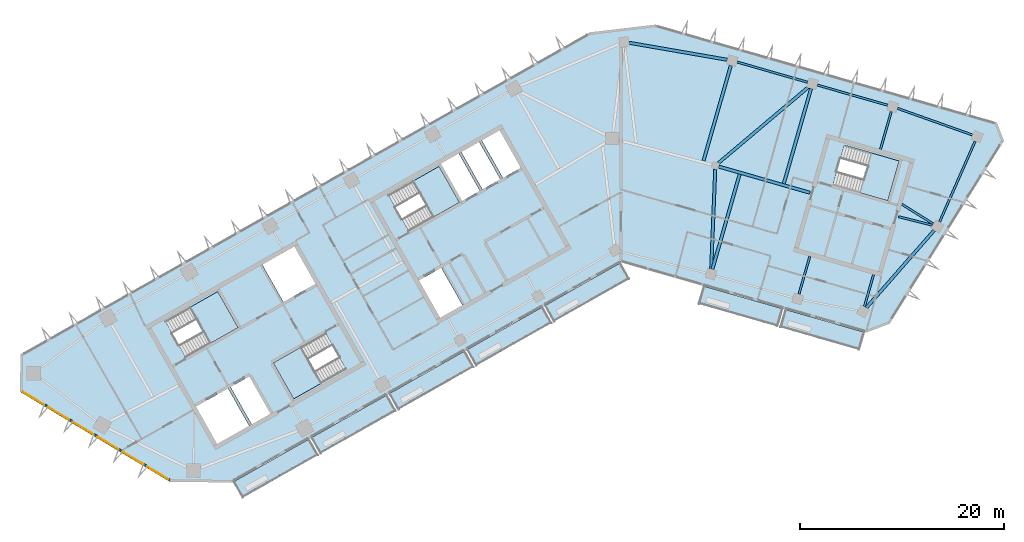
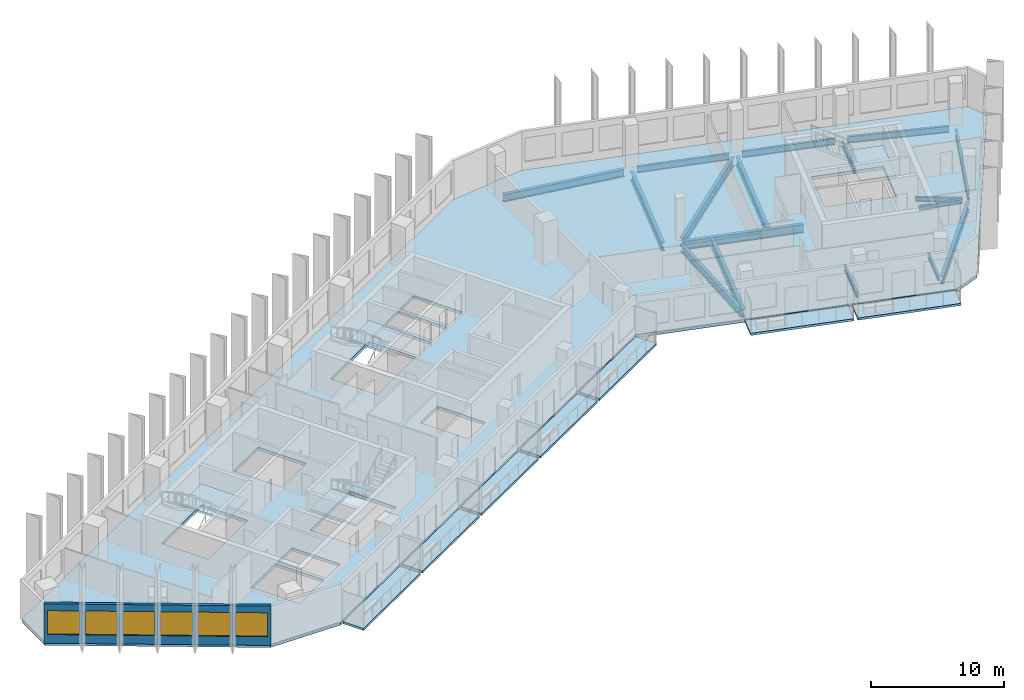
# One storey, part 2 of 11: 17 beams, 12 slabs, 6 windows, 1 wall, 6 openings, 4 elements without a shape of their own.
"""IFC4 building model written with IfcOpenShell, lengths in metres."""

from ifc_helpers import new_model, si_unit, direction, frame, frame_2d, origin, origin_2d, place, context, subcontext, project, spatial, polyline, rectangle, i_section, outline, extrude, material, layer, layer_set, material_profile, profile_set, type_object, element, fill, aggregate, save


model = new_model("IFC4")

# Units and contexts
model_context = context("Model", 3, precision=1e-05, world=origin(), true_north=direction((0.0, 1.0)))
body_context = subcontext(model_context, "Body", "Model", "MODEL_VIEW")
ifc_project = project(units=[si_unit("LENGTHUNIT", "METRE"), si_unit("AREAUNIT", "SQUARE_METRE"), si_unit("VOLUMEUNIT", "CUBIC_METRE"), si_unit("PLANEANGLEUNIT", "RADIAN"), si_unit("MASSUNIT", "GRAM", prefix="KILO")], contexts=[model_context])

# Site, building, storey
site_placement = place(None, origin())
site = spatial("IfcSite", under=ifc_project, at=site_placement, CompositionType="ELEMENT")
building_placement = place(site_placement, origin())
building = spatial("IfcBuilding", under=site, at=building_placement, Name="Binnacle Exchange Tower", CompositionType="ELEMENT")
storey_placement = place(building_placement, frame((0.0, 0.0, 223.10009765625)))
storey = spatial("IfcBuildingStorey", under=building, at=storey_placement, Name="L49", CompositionType="ELEMENT", Elevation=223.10009765625)

# Beams
ifc_material_1 = material(Name="Steel S355 (SHN355)", Category="steel")
ifc_material_profile_1 = material_profile(ifc_material_1, i_section(OverallWidth=0.199951171875, OverallDepth=0.60009765625, WebThickness=0.010986328125, FlangeThickness=0.01708984375, FilletRadius=0.02197265625, at=origin_2d()), Name="H 600x200x11x17")
ifc_profile_set_1 = profile_set([ifc_material_profile_1], Name="Steel S355 (SHN355)")
beam_type_1 = type_object("IfcBeamType", Name="Edge girder H 600x200x11x17 Steel S355 (SHN355)", PredefinedType="SPANDREL", material=ifc_profile_set_1)
beam_1_placement = place(storey_placement, frame((18.265625, 65.513916015625, -0.580078125), z_axis=(-0.961255050864, 0.275660528891, 0.0), x_axis=(-0.275660528891, -0.961255050864, 0.0)))
element("IfcBeam", 1, at=beam_1_placement, inside=storey, type_object=beam_type_1, Name="S:BM:edge:L49:029", PredefinedType="SPANDREL", context=body_context, shape_type="SweptSolid", body=[
    extrude(i_section(OverallWidth=0.199951171875, OverallDepth=0.60009765625, WebThickness=0.010986328125, FlangeThickness=0.01708984375, FilletRadius=0.02197265625, at=origin_2d()), origin(), (0.0, 0.0, 1.0), 7.1728515625),
])
beam_2_placement = place(storey_placement, frame((26.1220703125, 63.26123046875, -0.580078125), z_axis=(-0.96126665508, 0.275620060647, 0.0), x_axis=(-0.275620060647, -0.96126665508, 0.0)))
element("IfcBeam", 2, at=beam_2_placement, inside=storey, type_object=beam_type_1, Name="S:BM:edge:L49:031", PredefinedType="SPANDREL", context=body_context, shape_type="SweptSolid", body=[
    extrude(i_section(OverallWidth=0.199951171875, OverallDepth=0.60009765625, WebThickness=0.010986328125, FlangeThickness=0.01708984375, FilletRadius=0.02197265625, at=origin_2d()), origin(), (0.0, 0.0, 1.0), 7.173095703125),
])
ifc_material_profile_2 = material_profile(ifc_material_1, i_section(OverallWidth=0.200927734375, OverallDepth=0.60595703125, WebThickness=0.011962890625, FlangeThickness=0.02001953125, FilletRadius=0.02197265625, at=origin_2d()), Name="H 606x201x12x20")
ifc_profile_set_2 = profile_set([ifc_material_profile_2], Name="Steel S355 (SHN355)")
beam_type_2 = type_object("IfcBeamType", Name="Edge girder H 606x201x12x20 Steel S355 (SHN355)", PredefinedType="SPANDREL", material=ifc_profile_set_2)
beam_3_placement = place(storey_placement, frame((34.3984375, 60.3544921875, -0.5830078125), z_axis=(-0.942323270608, 0.334704128553, 0.0), x_axis=(-0.334704128553, -0.942323270608, 0.0)))
element("IfcBeam", 3, at=beam_3_placement, inside=storey, type_object=beam_type_2, Name="S:BM:edge:L49:033", PredefinedType="SPANDREL", context=body_context, shape_type="SweptSolid", body=[
    extrude(i_section(OverallWidth=0.200927734375, OverallDepth=0.60595703125, WebThickness=0.011962890625, FlangeThickness=0.02001953125, FilletRadius=0.02197265625, at=origin_2d()), origin(), (0.0, 0.0, 1.0), 7.77197265625),
])
ifc_material_profile_3 = material_profile(ifc_material_1, i_section(OverallWidth=0.201904296875, OverallDepth=0.612060546875, WebThickness=0.012939453125, FlangeThickness=0.02294921875, FilletRadius=0.02197265625, at=origin_2d()), Name="H 612x202x13x23")
ifc_profile_set_3 = profile_set([ifc_material_profile_3], Name="Steel S355 (SHN355)")
beam_type_3 = type_object("IfcBeamType", Name="Edge girder H 612x202x13x23 Steel S355 (SHN355)", PredefinedType="SPANDREL", material=ifc_profile_set_3)
beam_4_placement = place(storey_placement, frame((31.193359375, 51.848388671875, -0.586181640625), z_axis=(0.403459457176, 0.914997522628, 0.0), x_axis=(-0.914997522628, 0.403459457176, 0.0)))
element("IfcBeam", 4, at=beam_4_placement, inside=storey, type_object=beam_type_3, Name="S:BM:edge:L49:032", PredefinedType="SPANDREL", context=body_context, shape_type="SweptSolid", body=[
    extrude(i_section(OverallWidth=0.201904296875, OverallDepth=0.612060546875, WebThickness=0.012939453125, FlangeThickness=0.02294921875, FilletRadius=0.02197265625, at=origin_2d()), origin(), (0.0, 0.0, 1.0), 8.61328125),
])
ifc_material_profile_4 = material_profile(ifc_material_1, i_section(OverallWidth=0.300048828125, OverallDepth=0.699951171875, WebThickness=0.012939453125, FlangeThickness=0.02392578125, FilletRadius=0.028076171875, at=origin_2d()), Name="H 700x300x13x24")
ifc_profile_set_4 = profile_set([ifc_material_profile_4], Name="Steel S355 (SHN355)")
beam_type_4 = type_object("IfcBeamType", Name="Edge girder H 700x300x13x24 Steel S355 (SHN355)", PredefinedType="SPANDREL", material=ifc_profile_set_4)
beam_5_placement = place(storey_placement, frame((10.39453125, 67.71484375, -0.630126953125), z_axis=(-0.985315512383, 0.170743494921, 0.0), x_axis=(-0.170743494921, -0.985315512383, 0.0)))
element("IfcBeam", 5, at=beam_5_placement, inside=storey, type_object=beam_type_4, Name="S:BM:edge:L49:027", PredefinedType="SPANDREL", context=body_context, shape_type="SweptSolid", body=[
    extrude(i_section(OverallWidth=0.300048828125, OverallDepth=0.699951171875, WebThickness=0.012939453125, FlangeThickness=0.02392578125, FilletRadius=0.028076171875, at=origin_2d()), origin(), (0.0, 0.0, 1.0), 9.72314453125),
])
beam_6_placement = place(storey_placement, frame((24.026123046875, 43.44580078125, -0.630126953125), z_axis=(0.659336218273, 0.751848223562, 0.0), x_axis=(-0.751848223562, 0.659336218273, 0.0)))
element("IfcBeam", 6, at=beam_6_placement, inside=storey, type_object=beam_type_4, Name="S:BM:edge:L49:030", PredefinedType="SPANDREL", context=body_context, shape_type="SweptSolid", body=[
    extrude(i_section(OverallWidth=0.300048828125, OverallDepth=0.699951171875, WebThickness=0.012939453125, FlangeThickness=0.02392578125, FilletRadius=0.028076171875, at=origin_2d()), origin(), (0.0, 0.0, 1.0), 10.0546875),
])
ifc_material_profile_5 = material_profile(ifc_material_1, i_section(OverallWidth=0.199951171875, OverallDepth=0.39990234375, WebThickness=0.008056640625, FlangeThickness=0.012939453125, FilletRadius=0.01611328125, at=origin_2d()), Name="H 400x200x8x13")
ifc_profile_set_5 = profile_set([ifc_material_profile_5], Name="Steel S355 (SHN355)")
beam_type_5 = type_object("IfcBeamType", Name="Floor beam H 400x200x8x13 Steel S355 (SHN355)", PredefinedType="BEAM", material=ifc_profile_set_5)
beam_7_placement = place(storey_placement, frame((23.832275390625, 43.55810546875, -0.47998046875), z_axis=(0.275607869103, 0.961270150628, 0.0), x_axis=(-0.961270150628, 0.275607869103, 0.0)))
element("IfcBeam", 7, at=beam_7_placement, inside=storey, type_object=beam_type_5, Name="S:BM:cross:L49:051", PredefinedType="BEAM", context=body_context, shape_type="SweptSolid", body=[
    extrude(i_section(OverallWidth=0.199951171875, OverallDepth=0.39990234375, WebThickness=0.008056640625, FlangeThickness=0.012939453125, FilletRadius=0.01611328125, at=origin_2d()), origin(), (0.0, 0.0, 1.0), 3.23583984375),
])
beam_8_placement = place(storey_placement, frame((30.5654296875, 51.6513671875, -0.47998046875), z_axis=(-0.848078408173, 0.529870751779, 0.0), x_axis=(-0.529870751779, -0.848078408173, 0.0)))
element("IfcBeam", 8, at=beam_8_placement, inside=storey, type_object=beam_type_5, Name="S:BM:cross:L49:053", PredefinedType="BEAM", context=body_context, shape_type="SweptSolid", body=[
    extrude(i_section(OverallWidth=0.199951171875, OverallDepth=0.39990234375, WebThickness=0.008056640625, FlangeThickness=0.012939453125, FilletRadius=0.01611328125, at=origin_2d()), origin(), (0.0, 0.0, 1.0), 3.59521484375),
])
ifc_material_profile_6 = material_profile(ifc_material_1, i_section(OverallWidth=0.199951171875, OverallDepth=0.449951171875, WebThickness=0.009033203125, FlangeThickness=0.013916015625, FilletRadius=0.01806640625, at=origin_2d()), Name="H 450x200x9x14")
ifc_profile_set_6 = profile_set([ifc_material_profile_6], Name="Steel S355 (SHN355)")
beam_type_6 = type_object("IfcBeamType", Name="Floor beam H 450x200x9x14 Steel S355 (SHN355)", PredefinedType="BEAM", material=ifc_profile_set_6)
for number, where, z_axis, x_axis, name in (
    (9, (17.426025390625, 44.771728515625, -0.505126953125), (0.27564586602, 0.961259255636, 0.0), (-0.961259255636, 0.27564586602, 0.0), "S:BM:cross:L49:049"),
    (10, (26.46484375, 62.642822265625, -0.505126953125), (-0.27564586602, -0.961259255636, 0.0), (0.961259255636, -0.27564586602, 0.0), "S:BM:cross:L49:052"),
):
    element("IfcBeam", number, at=place(storey_placement, frame(where, z_axis=z_axis, x_axis=x_axis)), inside=storey, type_object=beam_type_6, Name=name, PredefinedType="BEAM", context=body_context, shape_type="SweptSolid", body=[
        extrude(i_section(OverallWidth=0.199951171875, OverallDepth=0.449951171875, WebThickness=0.009033203125, FlangeThickness=0.013916015625, FilletRadius=0.01806640625, at=origin_2d()), origin(), (0.0, 0.0, 1.0), 3.835205078125),
    ])
ifc_material_profile_7 = material_profile(ifc_material_1, i_section(OverallWidth=0.300048828125, OverallDepth=0.800048828125, WebThickness=0.013916015625, FlangeThickness=0.02587890625, FilletRadius=0.028076171875, at=origin_2d()), Name="H 800x300x14x26")
ifc_profile_set_7 = profile_set([ifc_material_profile_7], Name="Steel S355 (SHN355)")
beam_type_7 = type_object("IfcBeamType", Name="Floor beam H 800x300x14x26 Steel S355 (SHN355)", PredefinedType="BEAM", material=ifc_profile_set_7)
beam_9_placement = place(storey_placement, frame((8.947265625, 47.202880859375, -0.68017578125), z_axis=(0.275643212873, 0.961260016435, 0.0), x_axis=(-0.961260016435, 0.275643212873, 0.0)))
element("IfcBeam", 11, at=beam_9_placement, inside=storey, type_object=beam_type_7, Name="S:BM:cross:L49:047", PredefinedType="BEAM", context=body_context, shape_type="SweptSolid", body=[
    extrude(i_section(OverallWidth=0.300048828125, OverallDepth=0.800048828125, WebThickness=0.013916015625, FlangeThickness=0.02587890625, FilletRadius=0.028076171875, at=origin_2d()), origin(), (0.0, 0.0, 1.0), 9.685302734375),
])
beam_10_placement = place(storey_placement, frame((10.752197265625, 67.1484375, -0.68017578125), z_axis=(-0.275623948616, -0.96126554029, 0.0), x_axis=(0.96126554029, -0.275623948616, 0.0)))
element("IfcBeam", 12, at=beam_10_placement, inside=storey, type_object=beam_type_7, Name="S:BM:cross:L49:048", PredefinedType="BEAM", context=body_context, shape_type="SweptSolid", body=[
    extrude(i_section(OverallWidth=0.300048828125, OverallDepth=0.800048828125, WebThickness=0.013916015625, FlangeThickness=0.02587890625, FilletRadius=0.028076171875, at=origin_2d()), origin(), (0.0, 0.0, 1.0), 9.71337890625),
])
beam_11_placement = place(storey_placement, frame((18.6083984375, 64.8955078125, -0.68017578125), z_axis=(-0.275626599208, -0.961264780281, 0.0), x_axis=(0.961264780281, -0.275626599208, 0.0)))
element("IfcBeam", 13, at=beam_11_placement, inside=storey, type_object=beam_type_7, Name="S:BM:cross:L49:050", PredefinedType="BEAM", context=body_context, shape_type="SweptSolid", body=[
    extrude(i_section(OverallWidth=0.300048828125, OverallDepth=0.800048828125, WebThickness=0.013916015625, FlangeThickness=0.02587890625, FilletRadius=0.028076171875, at=origin_2d()), origin(), (0.0, 0.0, 1.0), 9.68505859375),
])
ifc_material_profile_8 = material_profile(ifc_material_1, i_section(OverallWidth=0.199951171875, OverallDepth=0.39990234375, WebThickness=0.008056640625, FlangeThickness=0.012939453125, FilletRadius=0.01611328125, at=origin_2d()), Name="H 400x200x8x13")
ifc_profile_set_8 = profile_set([ifc_material_profile_8], Name="Steel S355 (SHN355)")
beam_type_8 = type_object("IfcBeamType", Name="Spine girder H 400x200x8x13 Steel S355 (SHN355)", PredefinedType="BEAM", material=ifc_profile_set_8)
beam_12_placement = place(storey_placement, frame((27.17138671875, 52.35400390625, -0.47998046875), z_axis=(0.969354959992, -0.245664326957, 0.0), x_axis=(0.245664326957, 0.969354959992, 0.0)))
element("IfcBeam", 14, at=beam_12_placement, inside=storey, type_object=beam_type_8, Name="S:BM:spine:L49:010", PredefinedType="BEAM", context=body_context, shape_type="SweptSolid", body=[
    extrude(i_section(OverallWidth=0.199951171875, OverallDepth=0.39990234375, WebThickness=0.008056640625, FlangeThickness=0.012939453125, FilletRadius=0.01611328125, at=origin_2d()), origin(), (0.0, 0.0, 1.0), 3.41357421875),
])
ifc_material_profile_9 = material_profile(ifc_material_1, i_section(OverallWidth=0.300048828125, OverallDepth=0.699951171875, WebThickness=0.012939453125, FlangeThickness=0.02392578125, FilletRadius=0.028076171875, at=origin_2d()), Name="H 700x300x13x24")
ifc_profile_set_9 = profile_set([ifc_material_profile_9], Name="Steel S355 (SHN355)")
beam_type_9 = type_object("IfcBeamType", Name="Spine girder H 700x300x13x24 Steel S355 (SHN355)", PredefinedType="BEAM", material=ifc_profile_set_9)
beam_13_placement = place(storey_placement, frame((9.226318359375, 56.990234375, -0.630126953125), z_axis=(-0.040566314933, -0.999176848257, 0.0), x_axis=(0.999176848257, -0.040566314933, 0.0)))
element("IfcBeam", 15, at=beam_13_placement, inside=storey, type_object=beam_type_9, Name="S:BM:spine:L49:007", PredefinedType="BEAM", context=body_context, shape_type="SweptSolid", body=[
    extrude(i_section(OverallWidth=0.300048828125, OverallDepth=0.699951171875, WebThickness=0.012939453125, FlangeThickness=0.02392578125, FilletRadius=0.028076171875, at=origin_2d()), origin(), (0.0, 0.0, 1.0), 9.76171875),
])
ifc_material_profile_10 = material_profile(ifc_material_1, i_section(OverallWidth=0.300048828125, OverallDepth=0.800048828125, WebThickness=0.013916015625, FlangeThickness=0.02587890625, FilletRadius=0.028076171875, at=origin_2d()), Name="H 800x300x14x26")
ifc_profile_set_10 = profile_set([ifc_material_profile_10], Name="Steel S355 (SHN355)")
beam_type_10 = type_object("IfcBeamType", Name="Spine girder H 800x300x14x26 Steel S355 (SHN355)", PredefinedType="BEAM", material=ifc_profile_set_10)
beam_14_placement = place(storey_placement, frame((9.577392578125, 57.253662109375, -0.68017578125), z_axis=(0.961262936931, -0.275633027924, 0.0), x_axis=(0.275633027924, 0.961262936931, 0.0)))
element("IfcBeam", 16, at=beam_14_placement, inside=storey, type_object=beam_type_10, Name="S:BM:spine:L49:009", PredefinedType="BEAM", context=body_context, shape_type="SweptSolid", body=[
    extrude(i_section(OverallWidth=0.300048828125, OverallDepth=0.800048828125, WebThickness=0.013916015625, FlangeThickness=0.02587890625, FilletRadius=0.028076171875, at=origin_2d()), origin(), (0.0, 0.0, 1.0), 9.26318359375),
])
ifc_material_profile_11 = material_profile(ifc_material_1, i_section(OverallWidth=0.302001953125, OverallDepth=0.80810546875, WebThickness=0.01611328125, FlangeThickness=0.030029296875, FilletRadius=0.028076171875, at=origin_2d()), Name="H 808x302x16x30")
ifc_profile_set_11 = profile_set([ifc_material_profile_11], Name="Steel S355 (SHN355)")
beam_type_11 = type_object("IfcBeamType", Name="Spine girder H 808x302x16x30 Steel S355 (SHN355)", PredefinedType="BEAM", material=ifc_profile_set_11)
beam_15_placement = place(storey_placement, frame((9.562744140625, 57.6220703125, -0.68408203125), z_axis=(0.764068797706, 0.645134770704, 0.0), x_axis=(-0.645134770704, 0.764068797706, 0.0)))
element("IfcBeam", 17, at=beam_15_placement, inside=storey, type_object=beam_type_11, Name="S:BM:spine:L49:008", PredefinedType="BEAM", context=body_context, shape_type="SweptSolid", body=[
    extrude(i_section(OverallWidth=0.302001953125, OverallDepth=0.80810546875, WebThickness=0.01611328125, FlangeThickness=0.030029296875, FilletRadius=0.028076171875, at=origin_2d()), origin(), (0.0, 0.0, 1.0), 11.417236328125),
])

# Slabs
ifc_material_2 = material(Name="Concrete C35/45", Category="concrete")
ifc_layer_1 = layer(ifc_material_2, 0.199951171875)
ifc_layer_set_1 = layer_set([ifc_layer_1], Name="BALCONY SLAB 200")
slab_type_1 = type_object("IfcSlabType", Name="BALCONY SLAB 200", PredefinedType="FLOOR", material=ifc_layer_set_1)
slab_1_placement = place(storey_placement, frame((0.0, 0.0, -0.2001953125)))
element("IfcSlab", 18, at=slab_1_placement, inside=storey, type_object=slab_type_1, Name="Balcony BA-G01-00 L49", PredefinedType="FLOOR", context=body_context, shape_type="SweptSolid", body=[
    extrude(outline(polyline([(-37.90576171875, 26.410400390625), (-30.54736328125, 30.573486328125), (-29.660888671875, 29.0068359375), (-37.019287109375, 24.84375), (-37.90576171875, 26.410400390625)])), origin(), (0.0, 0.0, 1.0), 0.2001953125),
])
slab_2_placement = place(storey_placement, frame((0.0, 0.0, -0.2001953125)))
element("IfcSlab", 19, at=slab_2_placement, inside=storey, type_object=slab_type_1, Name="Balcony BA-G01-01 L49", PredefinedType="FLOOR", context=body_context, shape_type="SweptSolid", body=[
    extrude(outline(polyline([(-30.2861328125, 30.72119140625), (-22.927734375, 34.884521484375), (-22.041259765625, 33.31787109375), (-29.39990234375, 29.15478515625), (-30.2861328125, 30.72119140625)])), origin(), (0.0, 0.0, 1.0), 0.2001953125),
])
slab_3_placement = place(storey_placement, frame((0.0, 0.0, -0.2001953125)))
element("IfcSlab", 20, at=slab_3_placement, inside=storey, type_object=slab_type_1, Name="Balcony BA-G01-02 L49", PredefinedType="FLOOR", context=body_context, shape_type="SweptSolid", body=[
    extrude(outline(polyline([(-22.66650390625, 35.0322265625), (-15.30810546875, 39.195556640625), (-14.421875, 37.62890625), (-21.7802734375, 33.465576171875), (-22.66650390625, 35.0322265625)])), origin(), (0.0, 0.0, 1.0), 0.2001953125),
])
slab_4_placement = place(storey_placement, frame((0.0, 0.0, -0.2001953125)))
element("IfcSlab", 21, at=slab_4_placement, inside=storey, type_object=slab_type_1, Name="Balcony BA-G01-03 L49", PredefinedType="FLOOR", context=body_context, shape_type="SweptSolid", body=[
    extrude(outline(polyline([(-15.047119140625, 39.34326171875), (-7.6884765625, 43.50634765625), (-6.802001953125, 41.939697265625), (-14.16064453125, 37.776611328125), (-15.047119140625, 39.34326171875)])), origin(), (0.0, 0.0, 1.0), 0.2001953125),
])
slab_5_placement = place(storey_placement, frame((0.0, 0.0, -0.2001953125)))
element("IfcSlab", 22, at=slab_5_placement, inside=storey, type_object=slab_type_1, Name="Balcony BA-G01-04 L49", PredefinedType="FLOOR", context=body_context, shape_type="SweptSolid", body=[
    extrude(outline(polyline([(-7.427490234375, 43.654296875), (-0.069091796875, 47.8173828125), (0.8173828125, 46.250732421875), (-6.541015625, 42.08740234375), (-7.427490234375, 43.654296875)])), origin(), (0.0, 0.0, 1.0), 0.2001953125),
])
slab_6_placement = place(storey_placement, frame((0.0, 0.0, -0.2001953125)))
element("IfcSlab", 23, at=slab_6_placement, inside=storey, type_object=slab_type_1, Name="Balcony BA-G02-01 L49", PredefinedType="FLOOR", context=body_context, shape_type="SweptSolid", body=[
    extrude(outline(polyline([(8.10791015625, 45.545166015625), (15.8173828125, 43.33447265625), (15.3212890625, 41.60400390625), (7.61181640625, 43.814697265625), (8.10791015625, 45.545166015625)])), origin(), (0.0, 0.0, 1.0), 0.2001953125),
])
slab_7_placement = place(storey_placement, frame((0.0, 0.0, -0.2001953125)))
element("IfcSlab", 24, at=slab_7_placement, inside=storey, type_object=slab_type_1, Name="Balcony BA-G02-02 L49", PredefinedType="FLOOR", context=body_context, shape_type="SweptSolid", body=[
    extrude(outline(polyline([(16.10595703125, 43.251708984375), (23.815673828125, 41.041015625), (23.319580078125, 39.310791015625), (15.60986328125, 41.521484375), (16.10595703125, 43.251708984375)])), origin(), (0.0, 0.0, 1.0), 0.2001953125),
])
ifc_layer_2 = layer(ifc_material_2, 0.280029296875)
ifc_layer_set_2 = layer_set([ifc_layer_2], Name="Floor slab 280 Concrete C35/45")
slab_type_2 = type_object("IfcSlabType", Name="Floor slab 280 Concrete C35/45", PredefinedType="FLOOR", material=ifc_layer_set_2)
slab_8_placement = place(storey_placement, frame((0.0, 0.0, -0.280029296875)))
element("IfcSlab", 25, at=slab_8_placement, inside=storey, type_object=slab_type_2, Name="S:SL:L49:01", PredefinedType="FLOOR", context=body_context, shape_type="SweptSolid", body=[
    extrude(outline(polyline([(-58.716064453125, 35.280029296875), (-58.669921875, 38.80615234375), (-3.046142578125, 70.276611328125), (3.364501953125, 71.035400390625), (36.71240234375, 61.472900390625), (37.359375, 59.787353515625), (26.23095703125, 41.978515625), (23.994140625, 41.119873046875), (0.0, 48.0), (-38.097900390625, 26.4453125), (-44.14404296875, 26.5244140625), (-58.716064453125, 35.280029296875)]), holes=[polyline([(-38.4794921875, 35.529296875), (-41.61279296875, 33.756591796875), (-39.544677734375, 30.10107421875), (-36.411376953125, 31.873779296875), (-38.4794921875, 35.529296875)]), polyline([(-36.390625, 36.711181640625), (-38.21826171875, 35.677001953125), (-36.150146484375, 32.021484375), (-34.322509765625, 33.0556640625), (-36.390625, 36.711181640625)]), polyline([(-32.04638671875, 34.515625), (-26.9287109375, 37.4111328125), (-28.923095703125, 40.93603515625), (-34.040771484375, 38.04052734375), (-32.04638671875, 34.515625)]), polyline([(-37.486572265625, 41.4912109375), (-39.480712890625, 45.01611328125), (-44.598388671875, 42.12060546875), (-42.604248046875, 38.595703125), (-37.486572265625, 41.4912109375)]), polyline([(-29.914306640625, 45.775390625), (-31.982666015625, 49.430908203125), (-35.115966796875, 47.657958984375), (-33.047607421875, 44.00244140625), (-29.914306640625, 45.775390625)]), polyline([(-17.81689453125, 57.27294921875), (-22.760498046875, 54.47607421875), (-20.76611328125, 50.950927734375), (-15.822509765625, 53.748046875), (-17.81689453125, 57.27294921875)]), polyline([(-15.53076171875, 43.6875), (-17.598876953125, 47.343017578125), (-19.77490234375, 46.11181640625), (-17.70654296875, 42.456298828125), (-15.53076171875, 43.6875)]), polyline([(-13.82080078125, 54.880615234375), (-15.888916015625, 58.5361328125), (-17.629638671875, 57.55126953125), (-15.5615234375, 53.895751953125), (-13.82080078125, 54.880615234375)]), polyline([(27.227783203125, 57.810302734375), (21.864013671875, 59.348388671875), (20.74755859375, 55.455078125), (26.111328125, 53.9169921875), (27.227783203125, 57.810302734375)]), polyline([(-11.819091796875, 56.01318359375), (-13.88720703125, 59.668701171875), (-15.6279296875, 58.683837890625), (-13.559814453125, 55.0283203125), (-11.819091796875, 56.01318359375)]), polyline([(-9.817138671875, 57.145751953125), (-11.885498046875, 60.80126953125), (-13.626220703125, 59.81640625), (-11.557861328125, 56.160888671875), (-9.817138671875, 57.145751953125)])]), origin(), (0.0, 0.0, 1.0), 0.280029296875),
])

# Stair, slab
stair_type = type_object("IfcStairType", Name="STAIR 22 RISERS 177", PredefinedType="HALF_TURN_STAIR", material=ifc_material_2)
stair_1_placement = place(storey_placement, origin())
stair_1 = element("IfcStair", 26, at=stair_1_placement, inside=storey, type_object=stair_type, Name="L49 Escape stair A1", PredefinedType="HALF_TURN_STAIR")
ifc_layer_3 = layer(ifc_material_2, 0.199951171875)
ifc_layer_set_3 = layer_set([ifc_layer_3], Name="STAIR LANDING 200")
slab_type_3 = type_object("IfcSlabType", Name="STAIR LANDING 200", PredefinedType="LANDING", material=ifc_layer_set_3)
slab_9_placement = place(storey_placement, frame((0.0, 0.0, 1.75)))
slab_9 = element("IfcSlab", 27, at=slab_9_placement, type_object=slab_type_3, Name="STA1 landing 1", PredefinedType="LANDING", context=body_context, shape_type="SweptSolid", body=[
    extrude(outline(polyline([(-40.2021484375, 39.954833984375), (-37.486572265625, 41.4912109375), (-39.48095703125, 45.01611328125), (-42.1962890625, 43.479736328125), (-40.2021484375, 39.954833984375)])), origin(), (0.0, 0.0, 1.0), 0.199951171875),
])
aggregate(stair_1, [slab_9])

stair_2_placement = place(storey_placement, origin())
stair_2 = element("IfcStair", 28, at=stair_2_placement, inside=storey, type_object=stair_type, Name="L49 Escape stair A2", PredefinedType="HALF_TURN_STAIR")
slab_10_placement = place(storey_placement, frame((0.0, 0.0, 1.75)))
slab_10 = element("IfcSlab", 29, at=slab_10_placement, type_object=slab_type_3, Name="STA2 landing 1", PredefinedType="LANDING", context=body_context, shape_type="SweptSolid", body=[
    extrude(outline(polyline([(-31.3251953125, 39.576904296875), (-34.040771484375, 38.04052734375), (-32.04638671875, 34.515625), (-29.330810546875, 36.052001953125), (-31.3251953125, 39.576904296875)])), origin(), (0.0, 0.0, 1.0), 0.199951171875),
])
aggregate(stair_2, [slab_10])

stair_3_placement = place(storey_placement, origin())
stair_3 = element("IfcStair", 30, at=stair_3_placement, inside=storey, type_object=stair_type, Name="L49 Escape stair C1", PredefinedType="HALF_TURN_STAIR")
slab_11_placement = place(storey_placement, frame((0.0, 0.0, 1.75)))
slab_11 = element("IfcSlab", 31, at=slab_11_placement, type_object=slab_type_3, Name="STC1 landing 1", PredefinedType="LANDING", context=body_context, shape_type="SweptSolid", body=[
    extrude(outline(polyline([(-18.364013671875, 52.31005859375), (-15.822509765625, 53.748046875), (-17.81689453125, 57.27294921875), (-20.3583984375, 55.8349609375), (-18.364013671875, 52.31005859375)])), origin(), (0.0, 0.0, 1.0), 0.199951171875),
])
aggregate(stair_3, [slab_11])

stair_4_placement = place(storey_placement, origin())
stair_4 = element("IfcStair", 32, at=stair_4_placement, inside=storey, type_object=stair_type, Name="L49 Escape stair D1", PredefinedType="HALF_TURN_STAIR")
slab_12_placement = place(storey_placement, frame((0.0, 0.0, 1.75)))
slab_12 = element("IfcSlab", 33, at=slab_12_placement, type_object=slab_type_3, Name="STD1 landing 1", PredefinedType="LANDING", context=body_context, shape_type="SweptSolid", body=[
    extrude(outline(polyline([(23.400634765625, 54.6943359375), (26.111328125, 53.917236328125), (27.227783203125, 57.810302734375), (24.516845703125, 58.587646484375), (23.400634765625, 54.6943359375)])), origin(), (0.0, 0.0, 1.0), 0.199951171875),
])
aggregate(stair_4, [slab_12])

# Wall, openings, windows
ifc_material_3 = material(Name="Bronze aluminium cladding", Category="aluminium")
ifc_layer_4 = layer(ifc_material_3, 0.25)
ifc_layer_set_4 = layer_set([ifc_layer_4], Name="External wall - window wall 250")
wall_type = type_object("IfcWallType", Name="External wall - window wall 250", PredefinedType="STANDARD", material=ifc_layer_set_4)
wall_placement = place(storey_placement, frame((-44.115234375, 26.507080078125, 0.0), z_axis=(0.0, 0.0, 1.0), x_axis=(-0.857166583633, 0.515039268311, 0.0)))
wall = element("IfcWall", 34, at=wall_placement, inside=storey, type_object=wall_type, Name="External wall EW-G10 L49", PredefinedType="STANDARD", context=body_context, shape_type="SweptSolid", body=[
    extrude(rectangle(XDim=17.105712890625, YDim=0.25, at=frame_2d((8.552734375, 0.0))), origin(), (0.0, 0.0, 1.0), 3.619873046875),
])
opening_1_placement = place(wall_placement, frame((14.4169921875, 0.0, 0.800048828125)))
opening_1 = element("IfcOpeningElement", 35, at=opening_1_placement, cuts=wall, Name="Opening WR1", PredefinedType="OPENING", context=body_context, shape_type="SweptSolid", body=[
    extrude(rectangle(XDim=2.39990234375, YDim=2.199951171875, at=frame_2d((1.199951171875, 1.10009765625))), frame((0.0, 0.135009765625, 0.0), z_axis=(0.0, -1.0, 0.0), x_axis=(1.0, 0.0, 0.0)), (0.0, 0.0, 1.0), 0.27001953125),
])
opening_2_placement = place(wall_placement, frame((11.583740234375, 0.0, 0.800048828125)))
opening_2 = element("IfcOpeningElement", 36, at=opening_2_placement, cuts=wall, Name="Opening WR1", PredefinedType="OPENING", context=body_context, shape_type="SweptSolid", body=[
    extrude(rectangle(XDim=2.39990234375, YDim=2.199951171875, at=frame_2d((1.199951171875, 1.10009765625))), frame((0.0, 0.135009765625, 0.0), z_axis=(0.0, -1.0, 0.0), x_axis=(1.0, 0.0, 0.0)), (0.0, 0.0, 1.0), 0.27001953125),
])
opening_3_placement = place(wall_placement, frame((8.75048828125, 0.0, 0.800048828125)))
opening_3 = element("IfcOpeningElement", 37, at=opening_3_placement, cuts=wall, Name="Opening WR1", PredefinedType="OPENING", context=body_context, shape_type="SweptSolid", body=[
    extrude(rectangle(XDim=2.39990234375, YDim=2.199951171875, at=frame_2d((1.199951171875, 1.10009765625))), frame((0.0, 0.135009765625, 0.0), z_axis=(0.0, -1.0, 0.0), x_axis=(1.0, 0.0, 0.0)), (0.0, 0.0, 1.0), 0.27001953125),
])
opening_4_placement = place(wall_placement, frame((5.9169921875, 0.0, 0.800048828125)))
opening_4 = element("IfcOpeningElement", 38, at=opening_4_placement, cuts=wall, Name="Opening WR1", PredefinedType="OPENING", context=body_context, shape_type="SweptSolid", body=[
    extrude(rectangle(XDim=2.39990234375, YDim=2.199951171875, at=frame_2d((1.199951171875, 1.10009765625))), frame((0.0, 0.135009765625, 0.0), z_axis=(0.0, -1.0, 0.0), x_axis=(1.0, 0.0, 0.0)), (0.0, 0.0, 1.0), 0.27001953125),
])
opening_5_placement = place(wall_placement, frame((3.083740234375, 0.0, 0.800048828125)))
opening_5 = element("IfcOpeningElement", 39, at=opening_5_placement, cuts=wall, Name="Opening WR1", PredefinedType="OPENING", context=body_context, shape_type="SweptSolid", body=[
    extrude(rectangle(XDim=2.39990234375, YDim=2.199951171875, at=frame_2d((1.199951171875, 1.10009765625))), frame((0.0, 0.135009765625, 0.0), z_axis=(0.0, -1.0, 0.0), x_axis=(1.0, 0.0, 0.0)), (0.0, 0.0, 1.0), 0.27001953125),
])
opening_6_placement = place(wall_placement, frame((0.25048828125, 0.0, 0.800048828125)))
opening_6 = element("IfcOpeningElement", 40, at=opening_6_placement, cuts=wall, Name="Opening WR1", PredefinedType="OPENING", context=body_context, shape_type="SweptSolid", body=[
    extrude(rectangle(XDim=2.39990234375, YDim=2.199951171875, at=frame_2d((1.199951171875, 1.10009765625))), frame((0.0, 0.135009765625, 0.0), z_axis=(0.0, -1.0, 0.0), x_axis=(1.0, 0.0, 0.0)), (0.0, 0.0, 1.0), 0.27001953125),
])
ifc_material_4 = material(Name="Bronze anodised aluminium frame", Category="aluminium")
window_type = type_object("IfcWindowType", Name="WR1 WINDOW 2400x2200", PartitioningType="SINGLE_PANEL", PredefinedType="WINDOW", material=ifc_material_4)
window_1_placement = place(opening_1_placement, origin())
window_1 = element("IfcWindow", 41, at=window_1_placement, inside=storey, type_object=window_type, Name="Window WR1 L49", OverallHeight=2.199951171875, OverallWidth=2.39990234375, PartitioningType="SINGLE_PANEL", PredefinedType="WINDOW", context=body_context, shape_type="SweptSolid", body=[
    extrude(rectangle(XDim=2.39990234375, YDim=2.199951171875, at=frame_2d((1.199951171875, 1.10009765625))), frame((0.0, 0.030029296875, 0.0), z_axis=(0.0, -1.0, 0.0), x_axis=(1.0, 0.0, 0.0)), (0.0, 0.0, 1.0), 0.06005859375),
])
fill(opening_1, window_1)
window_2_placement = place(opening_2_placement, origin())
window_2 = element("IfcWindow", 42, at=window_2_placement, inside=storey, type_object=window_type, Name="Window WR1 L49", OverallHeight=2.199951171875, OverallWidth=2.39990234375, PartitioningType="SINGLE_PANEL", PredefinedType="WINDOW", context=body_context, shape_type="SweptSolid", body=[
    extrude(rectangle(XDim=2.39990234375, YDim=2.199951171875, at=frame_2d((1.199951171875, 1.10009765625))), frame((0.0, 0.030029296875, 0.0), z_axis=(0.0, -1.0, 0.0), x_axis=(1.0, 0.0, 0.0)), (0.0, 0.0, 1.0), 0.06005859375),
])
fill(opening_2, window_2)
window_3_placement = place(opening_3_placement, origin())
window_3 = element("IfcWindow", 43, at=window_3_placement, inside=storey, type_object=window_type, Name="Window WR1 L49", OverallHeight=2.199951171875, OverallWidth=2.39990234375, PartitioningType="SINGLE_PANEL", PredefinedType="WINDOW", context=body_context, shape_type="SweptSolid", body=[
    extrude(rectangle(XDim=2.39990234375, YDim=2.199951171875, at=frame_2d((1.199951171875, 1.10009765625))), frame((0.0, 0.030029296875, 0.0), z_axis=(0.0, -1.0, 0.0), x_axis=(1.0, 0.0, 0.0)), (0.0, 0.0, 1.0), 0.06005859375),
])
fill(opening_3, window_3)
window_4_placement = place(opening_4_placement, origin())
window_4 = element("IfcWindow", 44, at=window_4_placement, inside=storey, type_object=window_type, Name="Window WR1 L49", OverallHeight=2.199951171875, OverallWidth=2.39990234375, PartitioningType="SINGLE_PANEL", PredefinedType="WINDOW", context=body_context, shape_type="SweptSolid", body=[
    extrude(rectangle(XDim=2.39990234375, YDim=2.199951171875, at=frame_2d((1.199951171875, 1.10009765625))), frame((0.0, 0.030029296875, 0.0), z_axis=(0.0, -1.0, 0.0), x_axis=(1.0, 0.0, 0.0)), (0.0, 0.0, 1.0), 0.06005859375),
])
fill(opening_4, window_4)
window_5_placement = place(opening_5_placement, origin())
window_5 = element("IfcWindow", 45, at=window_5_placement, inside=storey, type_object=window_type, Name="Window WR1 L49", OverallHeight=2.199951171875, OverallWidth=2.39990234375, PartitioningType="SINGLE_PANEL", PredefinedType="WINDOW", context=body_context, shape_type="SweptSolid", body=[
    extrude(rectangle(XDim=2.39990234375, YDim=2.199951171875, at=frame_2d((1.199951171875, 1.10009765625))), frame((0.0, 0.030029296875, 0.0), z_axis=(0.0, -1.0, 0.0), x_axis=(1.0, 0.0, 0.0)), (0.0, 0.0, 1.0), 0.06005859375),
])
fill(opening_5, window_5)
window_6_placement = place(opening_6_placement, origin())
window_6 = element("IfcWindow", 46, at=window_6_placement, inside=storey, type_object=window_type, Name="Window WR1 L49", OverallHeight=2.199951171875, OverallWidth=2.39990234375, PartitioningType="SINGLE_PANEL", PredefinedType="WINDOW", context=body_context, shape_type="SweptSolid", body=[
    extrude(rectangle(XDim=2.39990234375, YDim=2.199951171875, at=frame_2d((1.199951171875, 1.10009765625))), frame((0.0, 0.030029296875, 0.0), z_axis=(0.0, -1.0, 0.0), x_axis=(1.0, 0.0, 0.0)), (0.0, 0.0, 1.0), 0.06005859375),
])
fill(opening_6, window_6)

save(model, "model.ifc")
